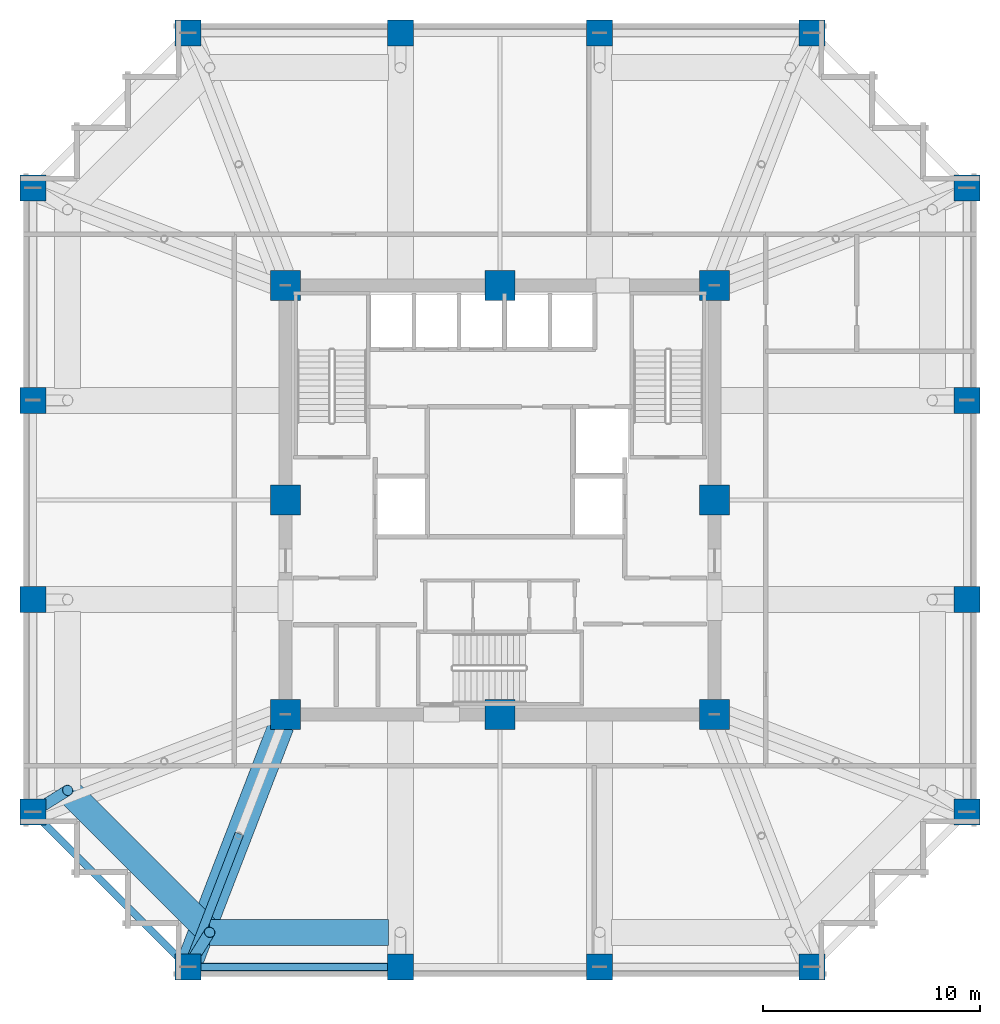
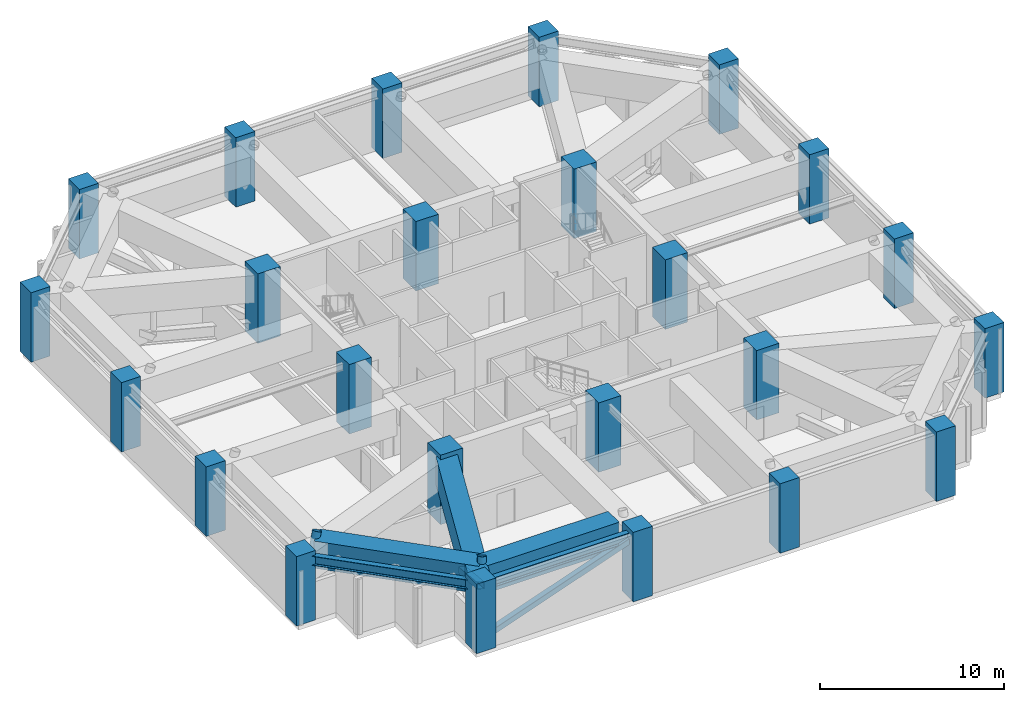
# One storey, part 1 of 15: 24 columns, 5 beams, 4 members.
"""IFC4 building model written with IfcOpenShell, lengths in metres."""

from ifc_helpers import new_model, si_unit, direction, frame, origin, origin_2d, place, context, subcontext, project, spatial, rectangle, hollow_rectangle, hollow_circle, i_section, extrude, material, material_profile, profile_set, type_object, element, save


model = new_model("IFC4")

# Units and contexts
model_context = context("Model", 3, precision=1e-05, world=origin(), true_north=direction((0.0, 1.0)))
body_context = subcontext(model_context, "Body", "Model", "MODEL_VIEW")
ifc_project = project(units=[si_unit("LENGTHUNIT", "METRE"), si_unit("AREAUNIT", "SQUARE_METRE"), si_unit("VOLUMEUNIT", "CUBIC_METRE"), si_unit("PLANEANGLEUNIT", "RADIAN"), si_unit("MASSUNIT", "GRAM", prefix="KILO")], contexts=[model_context])

# Site, building, storey
site_placement = place(None, origin())
site = spatial("IfcSite", under=ifc_project, at=site_placement, CompositionType="ELEMENT")
building_placement = place(site_placement, origin())
building = spatial("IfcBuilding", under=site, at=building_placement, Name="Kolvaren Belvedere", CompositionType="ELEMENT")
storey_placement = place(building_placement, frame((0.0, 0.0, 63.39990234375)))
storey = spatial("IfcBuildingStorey", under=building, at=storey_placement, Name="L18", CompositionType="ELEMENT", Elevation=63.39990234375)

# Columns
ifc_material_1 = material(Name="Concrete C60/75", Category="concrete")
ifc_material_profile_1 = material_profile(ifc_material_1, rectangle(XDim=1.199951171875, YDim=1.199951171875, at=origin_2d()), Name="RC 1200X1200")
ifc_profile_set_1 = profile_set([ifc_material_profile_1], Name="Concrete C60/75")
column_type_1 = type_object("IfcColumnType", Name="COL-RC-1200", PredefinedType="COLUMN", material=ifc_profile_set_1)
for number, where, z_axis, x_axis, name in (
    (1, (-14.39990234375, -21.550048828125, 0.0), (0.0, 0.0, 1.0), (1.0, 0.0, 0.0), "L18 Perimeter Column S1"),
    (2, (-4.60009765625, -21.550048828125, 0.0), (0.0, 0.0, 1.0), (1.0, 0.0, 0.0), "L18 Perimeter Column S2"),
    (3, (4.60009765625, -21.550048828125, 0.0), (0.0, 0.0, 1.0), (1.0, 0.0, 0.0), "L18 Perimeter Column S3"),
    (4, (14.39990234375, -21.550048828125, 0.0), (0.0, 0.0, 1.0), (1.0, 0.0, 0.0), "L18 Perimeter Column S4"),
    (5, (-14.39990234375, 21.550048828125, 0.0), (0.0, 0.0, 1.0), (1.0, 0.0, 0.0), "L18 Perimeter Column N1"),
    (6, (-4.60009765625, 21.550048828125, 0.0), (0.0, 0.0, 1.0), (1.0, 0.0, 0.0), "L18 Perimeter Column N2"),
    (7, (4.60009765625, 21.550048828125, 0.0), (0.0, 0.0, 1.0), (1.0, 0.0, 0.0), "L18 Perimeter Column N3"),
    (8, (14.39990234375, 21.550048828125, 0.0), (0.0, 0.0, 1.0), (1.0, 0.0, 0.0), "L18 Perimeter Column N4"),
    (9, (-21.550048828125, -14.39990234375, 0.0), (0.0, 0.0, 1.0), (1.0, 0.0, 0.0), "L18 Perimeter Column W1"),
    (10, (-21.550048828125, -4.60009765625, 0.0), (0.0, 0.0, 1.0), (1.0, 0.0, 0.0), "L18 Perimeter Column W2"),
    (11, (-21.550048828125, 4.60009765625, 0.0), (0.0, 0.0, 1.0), (1.0, 0.0, 0.0), "L18 Perimeter Column W3"),
    (12, (-21.550048828125, 14.39990234375, 0.0), (0.0, 0.0, 1.0), (1.0, 0.0, 0.0), "L18 Perimeter Column W4"),
    (13, (21.550048828125, -14.39990234375, 0.0), (0.0, 0.0, 1.0), (1.0, 0.0, 0.0), "L18 Perimeter Column E1"),
    (14, (21.550048828125, -4.60009765625, 0.0), (0.0, 0.0, 1.0), (1.0, 0.0, 0.0), "L18 Perimeter Column E2"),
    (15, (21.550048828125, 4.60009765625, 0.0), (0.0, 0.0, 1.0), (1.0, 0.0, 0.0), "L18 Perimeter Column E3"),
    (16, (21.550048828125, 14.39990234375, 0.0), (0.0, 0.0, 1.0), (1.0, 0.0, 0.0), "L18 Perimeter Column E4"),
):
    element("IfcColumn", number, at=place(storey_placement, frame(where, z_axis=z_axis, x_axis=x_axis)), inside=storey, type_object=column_type_1, Name=name, PredefinedType="COLUMN", context=body_context, shape_type="SweptSolid", body=[
        extrude(rectangle(XDim=1.199951171875, YDim=1.199951171875, at=origin_2d()), origin(), (0.0, 0.0, 1.0), 4.60009765625),
    ])
ifc_material_2 = material(Name="Concrete C60/75", Category="concrete")
ifc_material_profile_2 = material_profile(ifc_material_2, rectangle(XDim=1.39990234375, YDim=1.39990234375, at=origin_2d()), Name="RC 1400X1400")
ifc_profile_set_2 = profile_set([ifc_material_profile_2], Name="Concrete C60/75")
column_type_2 = type_object("IfcColumnType", Name="COL-RC-1400", PredefinedType="COLUMN", material=ifc_profile_set_2)
for number, where, z_axis, x_axis, name in (
    (17, (-9.89990234375, -9.89990234375, 0.0), (0.0, 0.0, 1.0), (1.0, 0.0, 0.0), "L18 Core Column CC1"),
    (18, (9.89990234375, -9.89990234375, 0.0), (0.0, 0.0, 1.0), (1.0, 0.0, 0.0), "L18 Core Column CC2"),
    (19, (9.89990234375, 9.89990234375, 0.0), (0.0, 0.0, 1.0), (1.0, 0.0, 0.0), "L18 Core Column CC3"),
    (20, (-9.89990234375, 9.89990234375, 0.0), (0.0, 0.0, 1.0), (1.0, 0.0, 0.0), "L18 Core Column CC4"),
    (21, (0.0, -9.89990234375, 0.0), (0.0, 0.0, 1.0), (1.0, 0.0, 0.0), "L18 Core Column CM1"),
    (22, (9.89990234375, 0.0, 0.0), (0.0, 0.0, 1.0), (1.0, 0.0, 0.0), "L18 Core Column CM2"),
    (23, (0.0, 9.89990234375, 0.0), (0.0, 0.0, 1.0), (1.0, 0.0, 0.0), "L18 Core Column CM3"),
    (24, (-9.89990234375, 0.0, 0.0), (0.0, 0.0, 1.0), (1.0, 0.0, 0.0), "L18 Core Column CM4"),
):
    element("IfcColumn", number, at=place(storey_placement, frame(where, z_axis=z_axis, x_axis=x_axis)), inside=storey, type_object=column_type_2, Name=name, PredefinedType="COLUMN", context=body_context, shape_type="SweptSolid", body=[
        extrude(rectangle(XDim=1.39990234375, YDim=1.39990234375, at=origin_2d()), origin(), (0.0, 0.0, 1.0), 4.60009765625),
    ])

# Beams
ifc_material_3 = material(Name="Structural steel ASTM A992 Grade 50", Category="steel")
ifc_material_profile_3 = material_profile(ifc_material_3, i_section(OverallWidth=0.324951171875, OverallDepth=0.615966796875, WebThickness=0.013916015625, FlangeThickness=0.021484375, FilletRadius=0.02001953125, at=origin_2d()), Name="W24X117")
ifc_profile_set_3 = profile_set([ifc_material_profile_3], Name="Structural steel ASTM A992 Grade 50")
beam_type_1 = type_object("IfcBeamType", Name="BM-SPAN-W24X117", PredefinedType="SPANDREL", material=ifc_profile_set_3)
beam_1_placement = place(storey_placement, frame((-14.1298828125, -21.550048828125, 3.9921875), z_axis=(1.0, 0.0, 0.0), x_axis=(0.0, 1.0, 0.0)))
element("IfcBeam", 25, at=beam_1_placement, inside=storey, type_object=beam_type_1, Name="L18 Perimeter Spandrel S1-S2", PredefinedType="SPANDREL", context=body_context, shape_type="SweptSolid", body=[
    extrude(i_section(OverallWidth=0.324951171875, OverallDepth=0.615966796875, WebThickness=0.013916015625, FlangeThickness=0.021484375, FilletRadius=0.02001953125, at=origin_2d()), origin(), (0.0, 0.0, 1.0), 9.259765625),
])
beam_2_placement = place(storey_placement, frame((-21.359130859375, -14.5908203125, 3.9921875), z_axis=(0.707106781187, -0.707106781187, 0.0), x_axis=(0.707106781187, 0.707106781187, 0.0)))
element("IfcBeam", 26, at=beam_2_placement, inside=storey, type_object=beam_type_1, Name="L18 Perimeter Spandrel W1-S1", PredefinedType="SPANDREL", context=body_context, shape_type="SweptSolid", body=[
    extrude(i_section(OverallWidth=0.324951171875, OverallDepth=0.615966796875, WebThickness=0.013916015625, FlangeThickness=0.021484375, FilletRadius=0.02001953125, at=origin_2d()), origin(), (0.0, 0.0, 1.0), 9.57177734375),
])
ifc_material_4 = material(Name="Concrete C50/60", Category="concrete")
ifc_material_profile_4 = material_profile(ifc_material_4, rectangle(XDim=1.199951171875, YDim=1.800048828125, at=origin_2d()), Name="RC 1200X1800")
ifc_profile_set_4 = profile_set([ifc_material_profile_4], Name="Concrete C50/60")
beam_type_2 = type_object("IfcBeamType", Name="BM-TG-1800", PredefinedType="BEAM", material=ifc_profile_set_4)
beam_3_placement = place(storey_placement, frame((-13.39990234375, -19.949951171875, 3.400146484375), z_axis=(1.0, 0.0, 0.0), x_axis=(0.0, 1.0, 0.0)))
element("IfcBeam", 27, at=beam_3_placement, inside=storey, type_object=beam_type_2, Name="L18 Step Transfer Ring Girder S1-S2", PredefinedType="BEAM", context=body_context, shape_type="SweptSolid", body=[
    extrude(rectangle(XDim=1.199951171875, YDim=1.800048828125, at=origin_2d()), origin(), (0.0, 0.0, 1.0), 8.25),
])
beam_4_placement = place(storey_placement, frame((-19.949951171875, -13.39990234375, 3.400146484375), z_axis=(0.707106781187, -0.707106781187, 0.0), x_axis=(0.707106781187, 0.707106781187, 0.0)))
element("IfcBeam", 28, at=beam_4_placement, inside=storey, type_object=beam_type_2, Name="L18 Step Transfer Ring Girder W1-S1", PredefinedType="BEAM", context=body_context, shape_type="SweptSolid", body=[
    extrude(rectangle(XDim=1.199951171875, YDim=1.800048828125, at=origin_2d()), origin(), (0.0, 0.0, 1.0), 9.26318359375),
])
beam_5_placement = place(storey_placement, frame((-10.09814453125, -10.4130859375, 3.400146484375), z_axis=(-0.360318391835, -0.932829382313, 0.0), x_axis=(0.932829382313, -0.360318391835, 0.0)))
element("IfcBeam", 29, at=beam_5_placement, inside=storey, type_object=beam_type_2, Name="L18 Corner Core-to-Perimeter Girder CC1-S1", PredefinedType="BEAM", context=body_context, shape_type="SweptSolid", body=[
    extrude(rectangle(XDim=1.199951171875, YDim=1.800048828125, at=origin_2d()), origin(), (0.0, 0.0, 1.0), 11.698974609375),
])

# Members
ifc_material_5 = material(Name="Structural steel ASTM A500 Grade C", Category="steel")
ifc_material_profile_5 = material_profile(ifc_material_5, hollow_rectangle(XDim=0.35595703125, YDim=0.35595703125, WallThickness=0.01171875, at=origin_2d()), Name="HSS14X14X1/2")
ifc_profile_set_5 = profile_set([ifc_material_profile_5], Name="Structural steel ASTM A500 Grade C")
member_type_1 = type_object("IfcMemberType", Name="MB-BELT-BRACE", PredefinedType="BRACE", material=ifc_profile_set_5)
member_1_placement = place(storey_placement, frame((-14.39990234375, -21.550048828125, 0.47998046875), z_axis=(0.942643852008, 0.0, 0.333800192139), x_axis=(0.0, 1.0, 0.0)))
element("IfcMember", 30, at=member_1_placement, inside=storey, type_object=member_type_1, Name="L18 Perimeter Belt Truss Brace BT-1", PredefinedType="BRACE", context=body_context, shape_type="SweptSolid", body=[
    extrude(hollow_rectangle(XDim=0.35595703125, YDim=0.35595703125, WallThickness=0.01171875, at=origin_2d()), origin(), (0.0, 0.0, 1.0), 10.39599609375),
])
ifc_material_6 = material(Name="Structural steel ASTM A500 Grade C", Category="steel")
ifc_material_profile_6 = material_profile(ifc_material_6, hollow_rectangle(XDim=0.406005859375, YDim=0.406005859375, WallThickness=0.014892578125, at=origin_2d()), Name="HSS16X16X5/8")
ifc_profile_set_6 = profile_set([ifc_material_profile_6], Name="Structural steel ASTM A500 Grade C")
member_type_2 = type_object("IfcMemberType", Name="MB-OUTRIGGER", PredefinedType="BRACE", material=ifc_profile_set_6)
member_2_placement = place(storey_placement, frame((-12.06005859375, -15.491943359375, 0.47998046875), z_axis=(-0.317771909839, -0.822745426831, 0.471286511525), x_axis=(0.932838914997, -0.360293711668, 0.0)))
element("IfcMember", 31, at=member_2_placement, inside=storey, type_object=member_type_2, Name="L18 Outrigger Truss Diagonal OT-1A", PredefinedType="BRACE", context=body_context, shape_type="SweptSolid", body=[
    extrude(hollow_rectangle(XDim=0.406005859375, YDim=0.406005859375, WallThickness=0.014892578125, at=origin_2d()), origin(), (0.0, 0.0, 1.0), 7.36328125),
])
ifc_material_7 = material(Name="Structural steel ASTM A500 Grade C", Category="steel")
ifc_material_profile_7 = material_profile(ifc_material_7, hollow_circle(Radius=0.25390625, WallThickness=0.01171875, at=origin_2d()), Name="HSS20.000X0.500")
ifc_profile_set_7 = profile_set([ifc_material_profile_7], Name="Structural steel ASTM A500 Grade C")
member_type_3 = type_object("IfcMemberType", Name="MB-WAIST-STRUT", PredefinedType="STRUT", material=ifc_profile_set_7)
for number, where, z_axis, x_axis, name in (
    (32, (-14.39990234375, -21.550048828125, 0.0), (0.201124570501, 0.321818953873, 0.925192665378), (-0.84801284173, 0.529975678933, 0.0), "L18 Inclined Waist Transition Strut S1"),
    (33, (-21.550048828125, -14.39990234375, 0.0), (0.321818953873, 0.201124570501, 0.925192665378), (-0.529975678933, 0.84801284173, 0.0), "L18 Inclined Waist Transition Strut W1"),
):
    element("IfcMember", number, at=place(storey_placement, frame(where, z_axis=z_axis, x_axis=x_axis)), inside=storey, type_object=member_type_3, Name=name, PredefinedType="STRUT", context=body_context, shape_type="SweptSolid", body=[
        extrude(hollow_circle(Radius=0.25390625, WallThickness=0.01171875, at=origin_2d()), origin(), (0.0, 0.0, 1.0), 4.971923828125),
    ])

save(model, "model.ifc")
